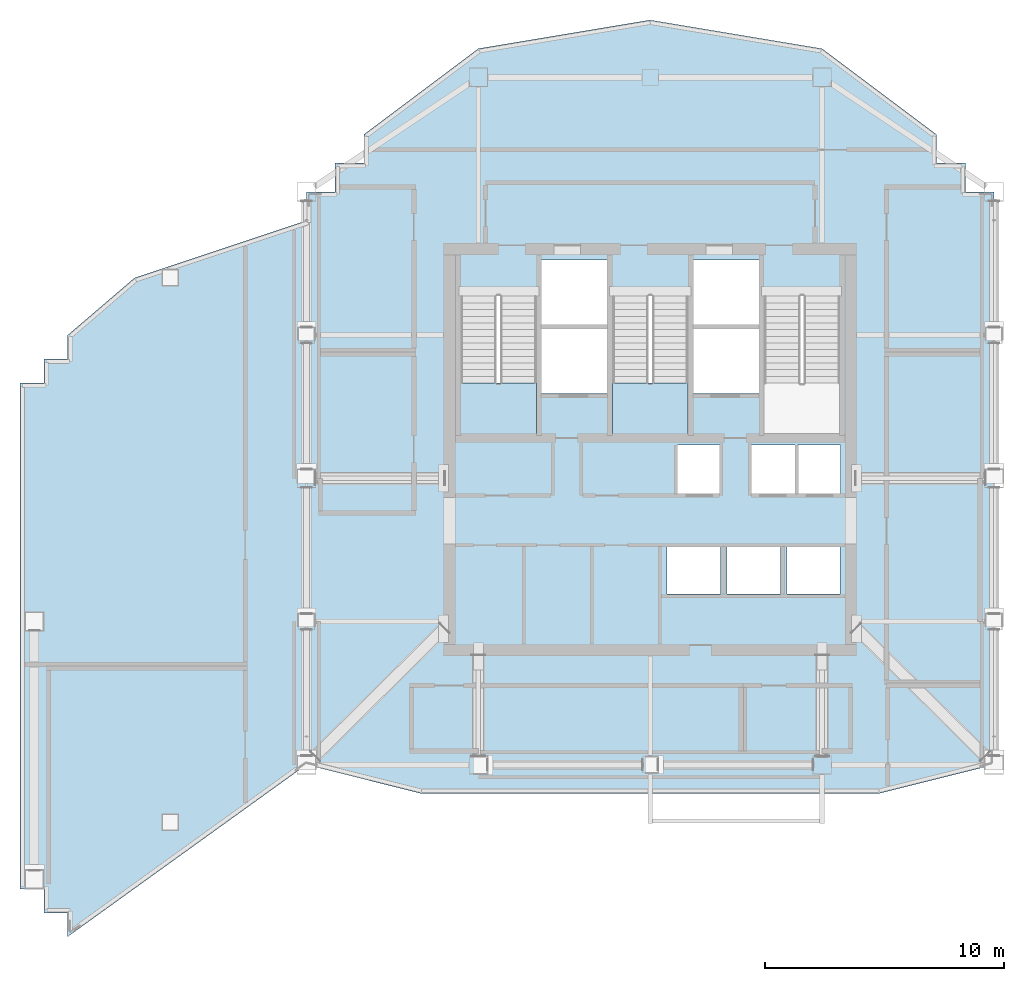
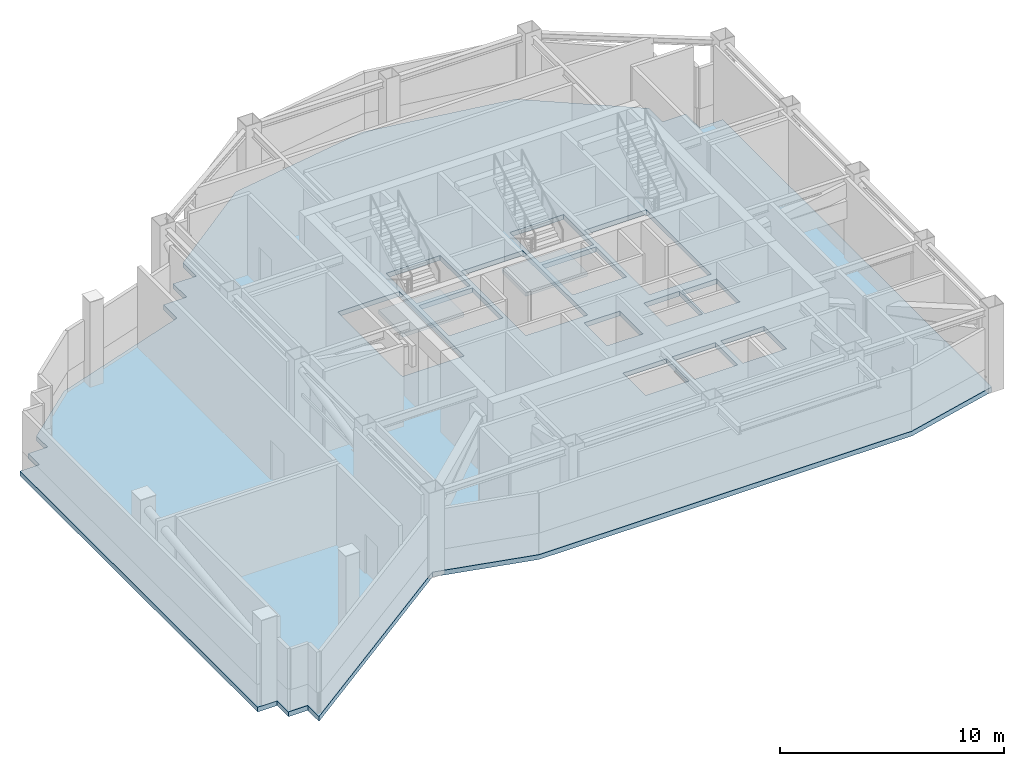
# One storey, part 3 of 15: 3 slabs, 2 elements without a shape of their own.
"""IFC4 building model written with IfcOpenShell, lengths in metres."""

import ifcopenshell
import ifcopenshell.guid

model = None  # the IFC model being written
_history = None  # IfcOwnerHistory: only IFC2X3 demands one
_inside = {}  # id of a spatial element -> (the spatial element, [elements in it])
_under = {}  # id of a project, library or spatial element -> (it, [spatial elements below it])
_declared = {}  # id of a project -> (the project, [libraries it declares])
_typed = {}  # id of a type object -> (the type object, [elements of that type])
_made_of = {}  # id of a material, layer set ... -> (it, [elements and type objects made of it])


def new_model(schema):
    """Start an empty IFC model of exactly this schema.

    Asked for "IFC4X3", IfcOpenShell would pick the latest addendum, in which some entities
    have other attributes; the version numbers below select the first issue.
    IFC2X3 requires an IfcOwnerHistory on every rooted entity: one is made here for all.
    """
    global model, _history
    if schema == "IFC4X3":
        model = ifcopenshell.file(schema_version=(4, 3, 0, 0))
    else:
        model = ifcopenshell.file(schema=schema)
    _inside.clear()
    _under.clear()
    _declared.clear()
    _typed.clear()
    _made_of.clear()
    _history = None
    if model.schema == "IFC2X3":
        org = make("IfcOrganization", Name="unknown")
        user = make(
            "IfcPersonAndOrganization",
            ThePerson=make("IfcPerson", FamilyName="unknown"),
            TheOrganization=org,
        )
        app = make(
            "IfcApplication",
            ApplicationDeveloper=org,
            Version="unknown",
            ApplicationFullName="unknown",
            ApplicationIdentifier="unknown",
        )
        _history = make(
            "IfcOwnerHistory",
            OwningUser=user,
            OwningApplication=app,
            ChangeAction="ADDED",
            CreationDate=0,
        )
    return model


def make(cls, **values):
    """One entity of the class cls with the attributes given. An attribute that is None is left unset."""
    return model.create_entity(
        cls, **{name: value for name, value in values.items() if value is not None}
    )


def rooted(cls, **values):
    """An entity with a GlobalId (a new one), such as an element, a storey or a relation."""
    return make(cls, GlobalId=ifcopenshell.guid.new(), OwnerHistory=_history, **values)


def si_unit(unit_type, name, prefix=None):
    """IfcSIUnit, for example si_unit("LENGTHUNIT", "METRE", prefix="MILLI")."""
    return make("IfcSIUnit", UnitType=unit_type, Prefix=prefix, Name=name)


def assignment(units):
    """IfcUnitAssignment: the units of a project."""
    return None if units is None else make("IfcUnitAssignment", Units=units)


def point(xyz):
    """IfcCartesianPoint."""
    return None if xyz is None else make("IfcCartesianPoint", Coordinates=xyz)


def direction(xyz):
    """IfcDirection."""
    return None if xyz is None else make("IfcDirection", DirectionRatios=xyz)


def frame(location, z_axis=None, x_axis=None):
    """IfcAxis2Placement3D, a coordinate frame: its origin and axes. An axis left out is left unset."""
    return make(
        "IfcAxis2Placement3D",
        Location=point(location),
        Axis=direction(z_axis),
        RefDirection=direction(x_axis),
    )


def origin():
    """The frame at (0, 0, 0) with its axes left unset."""
    return frame((0.0, 0.0, 0.0))


def place(relative_to, where):
    """IfcLocalPlacement: puts the frame where relative to a parent placement (None: the world)."""
    return make(
        "IfcLocalPlacement", PlacementRelTo=relative_to, RelativePlacement=where
    )


def context(
    kind, dimensions, precision=None, world=None, true_north=None, identifier=None
):
    """IfcGeometricRepresentationContext, for example the 3D "Model" context."""
    return make(
        "IfcGeometricRepresentationContext",
        ContextIdentifier=identifier,
        ContextType=kind,
        CoordinateSpaceDimension=dimensions,
        Precision=precision,
        WorldCoordinateSystem=world,
        TrueNorth=true_north,
    )


def subcontext(parent, identifier, kind, view, scale=None):
    """IfcGeometricRepresentationSubContext, for example "Body" below "Model"."""
    return make(
        "IfcGeometricRepresentationSubContext",
        ContextIdentifier=identifier,
        ContextType=kind,
        ParentContext=parent,
        TargetScale=scale,
        TargetView=view,
    )


def project(units=None, contexts=None):
    """IfcProject with its units and contexts."""
    return rooted(
        "IfcProject",
        Name="project",
        RepresentationContexts=contexts,
        UnitsInContext=assignment(units),
    )


def spatial(cls, under=None, at=None, **own):
    """A site, building, storey or space (cls), placed at a placement, below another one or the project."""
    s = rooted(cls, ObjectPlacement=at, **own)
    if under is not None:
        _under.setdefault(under.id(), (under, []))[1].append(s)
    return s


def polyline(points):
    """IfcPolyline through the points."""
    return make("IfcPolyline", Points=[point(p) for p in points])


def outline(outer, holes=None, kind="AREA"):
    """IfcArbitraryClosedProfileDef: a profile drawn as a closed curve; with holes, ...WithVoids."""
    if holes is None:
        return make("IfcArbitraryClosedProfileDef", ProfileType=kind, OuterCurve=outer)
    return make(
        "IfcArbitraryProfileDefWithVoids",
        ProfileType=kind,
        OuterCurve=outer,
        InnerCurves=holes,
    )


def extrude(swept, where, along, depth):
    """IfcExtrudedAreaSolid: the profile swept, set in the frame where, extruded along a direction by depth."""
    return make(
        "IfcExtrudedAreaSolid",
        SweptArea=swept,
        Position=where,
        ExtrudedDirection=direction(along),
        Depth=depth,
    )


def shape(context_of_items, identifier, shape_type, items):
    """IfcShapeRepresentation: the items that make up one representation, for example the "Body"."""
    return make(
        "IfcShapeRepresentation",
        ContextOfItems=context_of_items,
        RepresentationIdentifier=identifier,
        RepresentationType=shape_type,
        Items=items,
    )


def material(Name=None, Category=None):
    """IfcMaterial."""
    return make("IfcMaterial", Name=Name, Category=Category)


def layer(
    of_material, thickness, ventilated=None, Name=None, Category=None, Priority=None
):
    """IfcMaterialLayer: one layer of a wall or slab, of a material (None: an air gap)."""
    return make(
        "IfcMaterialLayer",
        Material=of_material,
        LayerThickness=thickness,
        IsVentilated=ventilated,
        Name=Name,
        Category=Category,
        Priority=Priority,
    )


def layer_set(layers, Name=None):
    """IfcMaterialLayerSet."""
    return make("IfcMaterialLayerSet", MaterialLayers=layers, LayerSetName=Name)


def made_of(thing, what):
    """Note that an element or type object is made of a material, layer set ...; save() writes the relation."""
    if what is not None:
        _made_of.setdefault(what.id(), (what, []))[1].append(thing)
    return thing


def type_object(cls, material=None, **own):
    """A type object (cls), such as IfcWallType, which elements share."""
    return made_of(rooted(cls, **own), material)


def element(
    cls,
    number,
    at=None,
    inside=None,
    cuts=None,
    type_object=None,
    material=None,
    context=None,
    identifier="Body",
    shape_type=None,
    held_by="IfcProductDefinitionShape",
    body=None,
    shapes=None,
    **own,
):
    """One element of the class cls, such as IfcWall. Its Tag is "e" and its number.

    at: its placement. inside: the storey or other place that contains it. cuts: it is an
    opening in that element (IfcRelVoidsElement). A single representation is given by context,
    identifier, shape_type and body (its items); several are given by shapes. held_by: the class
    of the entity that holds the representations. save() writes the other relations.
    """
    e = rooted(cls, Tag="e%d" % number, ObjectPlacement=at, **own)
    if body is not None:
        shapes = [shape(context, identifier, shape_type, body)]
    if shapes is not None:
        e.Representation = make(held_by, Representations=shapes)
    if inside is not None:
        _inside.setdefault(inside.id(), (inside, []))[1].append(e)
    if cuts is not None:
        rooted(
            "IfcRelVoidsElement", RelatingBuildingElement=cuts, RelatedOpeningElement=e
        )
    if type_object is not None:
        _typed.setdefault(type_object.id(), (type_object, []))[1].append(e)
    return made_of(e, material)


def aggregate(whole, parts):
    """IfcRelAggregates: a whole, such as a stair, and the parts it consists of."""
    return rooted("IfcRelAggregates", RelatingObject=whole, RelatedObjects=parts)


def save(model, path):
    """Write the relations noted so far, then the file.

    IfcRelAggregates (storeys below a building ...), IfcRelContainedInSpatialStructure (elements
    in a storey), IfcRelDefinesByType, IfcRelAssociatesMaterial and IfcRelDeclares: one each for
    every whole, place, type object, material and project.
    """
    for whole, parts in _under.values():
        aggregate(whole, parts)
    for where, things in _inside.values():
        rooted(
            "IfcRelContainedInSpatialStructure",
            RelatedElements=things,
            RelatingStructure=where,
        )
    for kind, things in _typed.values():
        rooted("IfcRelDefinesByType", RelatedObjects=things, RelatingType=kind)
    for what, things in _made_of.values():
        rooted("IfcRelAssociatesMaterial", RelatedObjects=things, RelatingMaterial=what)
    for by, libraries in _declared.values():
        rooted("IfcRelDeclares", RelatingContext=by, RelatedDefinitions=libraries)
    model.write(path)


model = new_model("IFC4")

# Units and contexts
model_context = context("Model", 3, precision=1e-05, world=origin(), true_north=direction((0.0, 1.0)))
body_context = subcontext(model_context, "Body", "Model", "MODEL_VIEW")
ifc_project = project(units=[si_unit("LENGTHUNIT", "METRE"), si_unit("AREAUNIT", "SQUARE_METRE"), si_unit("VOLUMEUNIT", "CUBIC_METRE"), si_unit("PLANEANGLEUNIT", "RADIAN"), si_unit("MASSUNIT", "GRAM", prefix="KILO")], contexts=[model_context])

# Site, building, storey
site_placement = place(None, origin())
site = spatial("IfcSite", under=ifc_project, at=site_placement, CompositionType="ELEMENT")
building_placement = place(site_placement, origin())
building = spatial("IfcBuilding", under=site, at=building_placement, Name="Haolan Belvedere Tower", CompositionType="ELEMENT")
storey_placement = place(building_placement, frame((0.0, 0.0, 277.550048828125)))
storey = spatial("IfcBuildingStorey", under=building, at=storey_placement, Name="L70", CompositionType="ELEMENT", Elevation=277.550048828125)

# Slab
ifc_material_1 = material(Name="Concrete C45/55", Category="concrete")
ifc_layer_1 = layer(ifc_material_1, 0.260009765625, Name="Concrete C45/55")
ifc_layer_set_1 = layer_set([ifc_layer_1], Name="Concrete C45/55")
slab_type_1 = type_object("IfcSlabType", Name="SL-FLR-260", PredefinedType="FLOOR", material=ifc_layer_set_1)
slab_1_placement = place(storey_placement, frame((0.0, 0.0, -0.260009765625)))
element("IfcSlab", 1, at=slab_1_placement, inside=storey, type_object=slab_type_1, Name="L70 structural floor slab", PredefinedType="FLOOR", context=body_context, shape_type="SweptSolid", body=[
    extrude(outline(polyline([(24.0, 21.60009765625), (28.800048828125, 20.39990234375), (48.0, 20.39990234375), (52.800048828125, 21.60009765625), (52.800048828125, 45.60009765625), (51.60009765625, 45.60009765625), (51.60009765625, 46.800048828125), (50.39990234375, 46.800048828125), (50.39990234375, 48.0), (45.60009765625, 51.60009765625), (38.39990234375, 52.800048828125), (31.199951171875, 51.60009765625), (26.39990234375, 48.0), (26.39990234375, 46.800048828125), (25.199951171875, 46.800048828125), (25.199951171875, 45.60009765625), (24.0, 45.60009765625), (24.0, 44.39990234375), (16.800048828125, 42.0), (14.0, 39.60009765625), (14.0, 38.60009765625), (13.0, 38.60009765625), (13.0, 37.60009765625), (12.0, 37.60009765625), (12.0, 16.800048828125), (12.0, 16.39990234375), (13.0, 16.39990234375), (13.0, 15.39990234375), (14.0, 15.39990234375), (14.0, 14.39990234375), (24.0, 21.60009765625)]), holes=[polyline([(30.449951171875, 41.22998046875), (30.449951171875, 35.449951171875), (33.6298828125, 35.449951171875), (33.6298828125, 41.22998046875), (30.449951171875, 41.22998046875)]), polyline([(36.81005859375, 41.22998046875), (36.81005859375, 35.449951171875), (39.989990234375, 35.449951171875), (39.989990234375, 41.22998046875), (36.81005859375, 41.22998046875)]), polyline([(43.169921875, 41.22998046875), (43.169921875, 35.449951171875), (46.35009765625, 35.449951171875), (46.35009765625, 41.22998046875), (43.169921875, 41.22998046875)]), polyline([(33.830078125, 40.050048828125), (36.610107421875, 40.050048828125), (36.610107421875, 42.75), (33.830078125, 42.75), (33.830078125, 40.050048828125)]), polyline([(33.830078125, 37.14990234375), (36.610107421875, 37.14990234375), (36.610107421875, 39.85009765625), (33.830078125, 39.85009765625), (33.830078125, 37.14990234375)]), polyline([(40.18994140625, 40.050048828125), (42.969970703125, 40.050048828125), (42.969970703125, 42.75), (40.18994140625, 42.75), (40.18994140625, 40.050048828125)]), polyline([(40.18994140625, 37.14990234375), (42.969970703125, 37.14990234375), (42.969970703125, 39.85009765625), (40.18994140625, 39.85009765625), (40.18994140625, 37.14990234375)]), polyline([(39.5400390625, 32.949951171875), (41.389892578125, 32.949951171875), (41.389892578125, 35.0), (39.5400390625, 35.0), (39.5400390625, 32.949951171875)]), polyline([(42.6201171875, 32.949951171875), (44.469970703125, 32.949951171875), (44.469970703125, 35.0), (42.6201171875, 35.0), (42.6201171875, 32.949951171875)]), polyline([(44.580078125, 32.949951171875), (46.3798828125, 32.949951171875), (46.3798828125, 35.0), (44.580078125, 35.0), (44.580078125, 32.949951171875)]), polyline([(39.10009765625, 28.75), (41.340087890625, 28.75), (41.340087890625, 30.75), (39.10009765625, 30.75), (39.10009765625, 28.75)]), polyline([(41.610107421875, 28.75), (43.85009765625, 28.75), (43.85009765625, 30.75), (41.610107421875, 30.75), (41.610107421875, 28.75)]), polyline([(44.1201171875, 28.75), (46.360107421875, 28.75), (46.360107421875, 30.75), (44.1201171875, 30.75), (44.1201171875, 28.75)])]), origin(), (0.0, 0.0, 1.0), 0.260009765625),
])

# Stair, slab
ifc_material_2 = material(Name="Concrete C40/50", Category="concrete")
stair_type = type_object("IfcStairType", Name="STR-DL-28R-166", PredefinedType="HALF_TURN_STAIR", material=ifc_material_2)
stair_1_placement = place(storey_placement, origin())
stair_1 = element("IfcStair", 2, at=stair_1_placement, inside=storey, type_object=stair_type, Name="L70 Smokeproof Core Exit Stair ST1", PredefinedType="HALF_TURN_STAIR")
ifc_layer_2 = layer(ifc_material_2, 0.199951171875, Name="Concrete C40/50")
ifc_layer_set_2 = layer_set([ifc_layer_2], Name="Concrete C40/50")
slab_type_2 = type_object("IfcSlabType", Name="SL-LAND-200", PredefinedType="LANDING", material=ifc_layer_set_2)
slab_2_placement = place(storey_placement, frame((0.0, 0.0, 2.125)))
slab_2 = element("IfcSlab", 3, at=slab_2_placement, type_object=slab_type_2, Name="ST1 landing 1", PredefinedType="LANDING", context=body_context, shape_type="SweptSolid", body=[
    extrude(outline(polyline([(30.449951171875, 37.590087890625), (30.449951171875, 35.449951171875), (33.6298828125, 35.449951171875), (33.6298828125, 37.590087890625), (30.449951171875, 37.590087890625)])), origin(), (0.0, 0.0, 1.0), 0.199951171875),
])
aggregate(stair_1, [slab_2])

stair_2_placement = place(storey_placement, origin())
stair_2 = element("IfcStair", 4, at=stair_2_placement, inside=storey, type_object=stair_type, Name="L70 Smokeproof Core Exit Stair ST3", PredefinedType="HALF_TURN_STAIR")
slab_3_placement = place(storey_placement, frame((0.0, 0.0, 2.125)))
slab_3 = element("IfcSlab", 5, at=slab_3_placement, type_object=slab_type_2, Name="ST3 landing 1", PredefinedType="LANDING", context=body_context, shape_type="SweptSolid", body=[
    extrude(outline(polyline([(36.81005859375, 37.590087890625), (36.81005859375, 35.449951171875), (39.989990234375, 35.449951171875), (39.989990234375, 37.590087890625), (36.81005859375, 37.590087890625)])), origin(), (0.0, 0.0, 1.0), 0.199951171875),
])
aggregate(stair_2, [slab_3])

save(model, "model.ifc")
